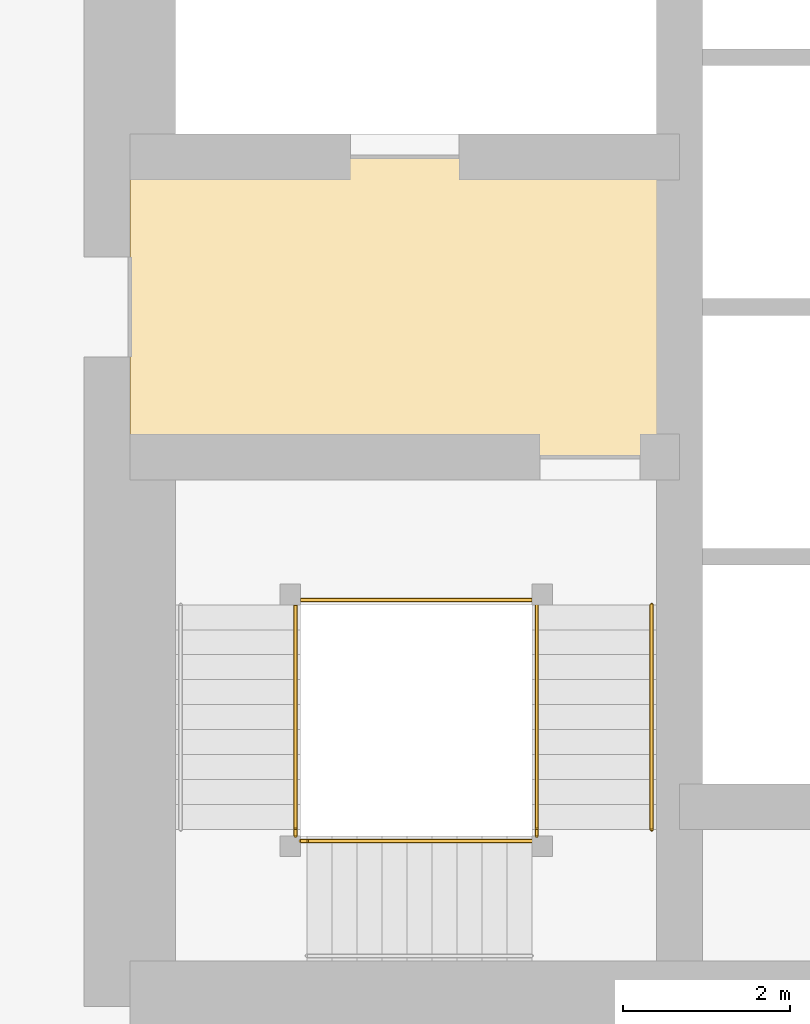
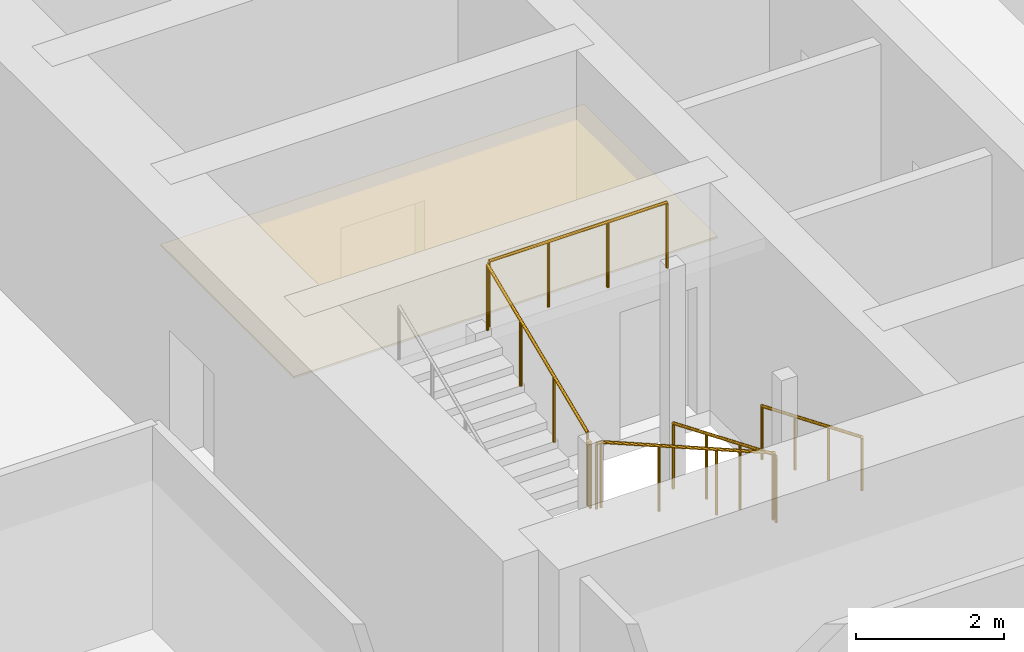
# One storey, part 38 of 45: 8 railings, 1 covering.
"""IFC4 building model written with IfcOpenShell, lengths in metres."""

from ifc_helpers import new_model, si_unit, direction, frame, origin, origin_2d, place, context, subcontext, project, spatial, polyline, circle, outline, extrude, material, layer, layer_set, type_object, element, save


model = new_model("IFC4")

# Units and contexts
model_context = context("Model", 3, precision=1e-05, world=origin(), true_north=direction((0.0, 1.0)))
body_context = subcontext(model_context, "Body", "Model", "MODEL_VIEW")
ifc_project = project(units=[si_unit("LENGTHUNIT", "METRE"), si_unit("AREAUNIT", "SQUARE_METRE"), si_unit("VOLUMEUNIT", "CUBIC_METRE"), si_unit("PLANEANGLEUNIT", "RADIAN"), si_unit("MASSUNIT", "GRAM", prefix="KILO")], contexts=[model_context])

# Site, building, storey
site_placement = place(None, origin())
site = spatial("IfcSite", under=ifc_project, at=site_placement, CompositionType="ELEMENT")
building_placement = place(site_placement, origin())
building = spatial("IfcBuilding", under=site, at=building_placement, Name="Rekha Terrace Tower", CompositionType="ELEMENT")
storey_placement = place(building_placement, frame((0.0, 0.0, 44.14990234375)))
storey = spatial("IfcBuildingStorey", under=building, at=storey_placement, Name="L10", CompositionType="ELEMENT", Elevation=44.14990234375)

# Covering
ifc_material_1 = material(Name="Powder-coated aluminium pan", Category="aluminium")
ifc_layer = layer(ifc_material_1, 0.030029296875)
ifc_layer_set = layer_set([ifc_layer], Name="Powder-coated aluminium pan")
covering_type = type_object("IfcCoveringType", Name="CL3 300x1200 metal pan ceiling", PredefinedType="CEILING", material=ifc_layer_set)
covering_placement = place(storey_placement, frame((0.0, 0.0, 2.570068359375)))
element("IfcCovering", 1, at=covering_placement, inside=storey, type_object=covering_type, Name="Ceiling L10-FLB1", PredefinedType="CEILING", context=body_context, shape_type="SweptSolid", body=[
    extrude(outline(polyline([(31.800048828125, 31.199951171875), (25.199951171875, 31.199951171875), (25.199951171875, 27.60009765625), (31.800048828125, 27.60009765625), (31.800048828125, 31.199951171875)])), origin(), (0.0, 0.0, 1.0), 0.030029296875),
])

# Railings
ifc_material_2 = material(Name="Stainless steel balustrade", Category="steel")
railing_type_1 = type_object("IfcRailingType", Name="GR1 1100 stair guard", PredefinedType="GUARDRAIL", material=ifc_material_2)
railing_1_placement = place(storey_placement, frame((30.0849609375, 25.824951171875, 0.125)))
element("IfcRailing", 2, at=railing_1_placement, inside=storey, type_object=railing_type_1, Name="Guard ST1 L10 flight 1", PredefinedType="GUARDRAIL", context=body_context, shape_type="SweptSolid", body=[
    extrude(circle(Radius=0.02392578125, at=origin_2d()), frame((0.0, 0.0, 1.076171875), z_axis=(0.0, -0.923074453586, 0.384621311341), x_axis=(1.0, 0.0, 0.0)), (0.0, 0.0, 1.0), 2.925048828125),
    extrude(circle(Radius=0.02099609375, at=origin_2d()), origin(), (0.0, 0.0, 1.0), 1.052001953125),
    extrude(circle(Radius=0.02099609375, at=origin_2d()), frame((0.0, -0.89990234375, 0.375)), (0.0, 0.0, 1.0), 1.052001953125),
    extrude(circle(Radius=0.02099609375, at=origin_2d()), frame((0.0, -1.800048828125, 0.75)), (0.0, 0.0, 1.0), 1.052001953125),
    extrude(circle(Radius=0.02099609375, at=origin_2d()), frame((0.0, -2.699951171875, 1.125)), (0.0, 0.0, 1.0), 1.052001953125),
])
railing_2_placement = place(storey_placement, frame((30.02490234375, 22.989990234375, 1.375)))
element("IfcRailing", 3, at=railing_2_placement, inside=storey, type_object=railing_type_1, Name="Guard ST1 L10 flight 2", PredefinedType="GUARDRAIL", context=body_context, shape_type="SweptSolid", body=[
    extrude(circle(Radius=0.02392578125, at=origin_2d()), frame((0.0, 0.0, 1.076171875), z_axis=(-0.923074453586, 0.0, 0.384621311341), x_axis=(0.0, -1.0, 0.0)), (0.0, 0.0, 1.0), 2.925048828125),
    extrude(circle(Radius=0.02099609375, at=origin_2d()), origin(), (0.0, 0.0, 1.0), 1.052001953125),
    extrude(circle(Radius=0.02099609375, at=origin_2d()), frame((-0.89990234375, 0.0, 0.375)), (0.0, 0.0, 1.0), 1.052001953125),
    extrude(circle(Radius=0.02099609375, at=origin_2d()), frame((-1.800048828125, 0.0, 0.75)), (0.0, 0.0, 1.0), 1.052001953125),
    extrude(circle(Radius=0.02099609375, at=origin_2d()), frame((-2.699951171875, 0.0, 1.125)), (0.0, 0.0, 1.0), 1.052001953125),
])
railing_3_placement = place(storey_placement, frame((27.18994140625, 23.125, 2.625)))
element("IfcRailing", 4, at=railing_3_placement, inside=storey, type_object=railing_type_1, Name="Guard ST1 L10 flight 3", PredefinedType="GUARDRAIL", context=body_context, shape_type="SweptSolid", body=[
    extrude(circle(Radius=0.02392578125, at=origin_2d()), frame((0.0, 0.0, 1.076171875), z_axis=(0.0, 0.923074453586, 0.384621311341), x_axis=(-1.0, 0.0, 0.0)), (0.0, 0.0, 1.0), 2.925048828125),
    extrude(circle(Radius=0.02099609375, at=origin_2d()), origin(), (0.0, 0.0, 1.0), 1.052001953125),
    extrude(circle(Radius=0.02099609375, at=origin_2d()), frame((0.0, 0.89990234375, 0.375)), (0.0, 0.0, 1.0), 1.052001953125),
    extrude(circle(Radius=0.02099609375, at=origin_2d()), frame((0.0, 1.800048828125, 0.75)), (0.0, 0.0, 1.0), 1.052001953125),
    extrude(circle(Radius=0.02099609375, at=origin_2d()), frame((0.0, 2.699951171875, 1.125)), (0.0, 0.0, 1.0), 1.052001953125),
])
railing_4_placement = place(storey_placement, frame((30.0849609375, 23.125, 1.25)))
element("IfcRailing", 5, at=railing_4_placement, inside=storey, type_object=railing_type_1, Name="Guard ST1 L10 landing 1", PredefinedType="GUARDRAIL", context=body_context, shape_type="SweptSolid", body=[
    extrude(circle(Radius=0.02392578125, at=origin_2d()), frame((0.0, 0.0, 1.076171875), z_axis=(0.0, -1.0, 0.0), x_axis=(1.0, 0.0, 0.0)), (0.0, 0.0, 1.0), 0.074951171875),
    extrude(circle(Radius=0.02099609375, at=origin_2d()), origin(), (0.0, 0.0, 1.0), 1.052001953125),
    extrude(circle(Radius=0.02099609375, at=origin_2d()), frame((0.0, -0.074951171875, 0.0)), (0.0, 0.0, 1.0), 1.052001953125),
])
railing_5_placement = place(storey_placement, frame((27.324951171875, 22.989990234375, 2.5)))
element("IfcRailing", 6, at=railing_5_placement, inside=storey, type_object=railing_type_1, Name="Guard ST1 L10 landing 2", PredefinedType="GUARDRAIL", context=body_context, shape_type="SweptSolid", body=[
    extrude(circle(Radius=0.02392578125, at=origin_2d()), frame((0.0, 0.0, 1.076171875), z_axis=(-1.0, 0.0, 0.0), x_axis=(0.0, -1.0, 0.0)), (0.0, 0.0, 1.0), 0.074951171875),
    extrude(circle(Radius=0.02099609375, at=origin_2d()), origin(), (0.0, 0.0, 1.0), 1.052001953125),
    extrude(circle(Radius=0.02099609375, at=origin_2d()), frame((-0.074951171875, 0.0, 0.0)), (0.0, 0.0, 1.0), 1.052001953125),
])
railing_6_placement = place(storey_placement, frame((27.18994140625, 23.125, 2.5)))
element("IfcRailing", 7, at=railing_6_placement, inside=storey, type_object=railing_type_1, Name="Guard ST1 L10 landing 3", PredefinedType="GUARDRAIL", context=body_context, shape_type="SweptSolid", body=[
    extrude(circle(Radius=0.02392578125, at=origin_2d()), frame((0.0, 0.0, 1.076171875), z_axis=(0.0, -1.0, 0.0), x_axis=(1.0, 0.0, 0.0)), (0.0, 0.0, 1.0), 0.074951171875),
    extrude(circle(Radius=0.02099609375, at=origin_2d()), origin(), (0.0, 0.0, 1.0), 1.052001953125),
    extrude(circle(Radius=0.02099609375, at=origin_2d()), frame((0.0, -0.074951171875, 0.0)), (0.0, 0.0, 1.0), 1.052001953125),
])
railing_7_placement = place(storey_placement, frame((30.02490234375, 25.885009765625, 3.75)))
element("IfcRailing", 8, at=railing_7_placement, inside=storey, type_object=railing_type_1, Name="Guard ST1 L10 landing 4", PredefinedType="GUARDRAIL", context=body_context, shape_type="SweptSolid", body=[
    extrude(circle(Radius=0.02392578125, at=origin_2d()), frame((0.0, 0.0, 1.076171875), z_axis=(-1.0, 0.0, 0.0), x_axis=(0.0, -1.0, 0.0)), (0.0, 0.0, 1.0), 2.77490234375),
    extrude(circle(Radius=0.02099609375, at=origin_2d()), origin(), (0.0, 0.0, 1.0), 1.052001953125),
    extrude(circle(Radius=0.02099609375, at=origin_2d()), frame((-0.925048828125, 0.0, 0.0)), (0.0, 0.0, 1.0), 1.052001953125),
    extrude(circle(Radius=0.02099609375, at=origin_2d()), frame((-1.849853515625, 0.0, 0.0)), (0.0, 0.0, 1.0), 1.052001953125),
    extrude(circle(Radius=0.02099609375, at=origin_2d()), frame((-2.77490234375, 0.0, 0.0)), (0.0, 0.0, 1.0), 1.052001953125),
])
ifc_material_3 = material(Name="Stainless steel tube", Category="steel")
railing_type_2 = type_object("IfcRailingType", Name="HR1 900 stair handrail", PredefinedType="HANDRAIL", material=ifc_material_3)
railing_8_placement = place(storey_placement, frame((31.465087890625, 25.824951171875, 0.125)))
element("IfcRailing", 9, at=railing_8_placement, inside=storey, type_object=railing_type_2, Name="Handrail ST1 L10 flight 1", PredefinedType="HANDRAIL", context=body_context, shape_type="SweptSolid", body=[
    extrude(circle(Radius=0.02392578125, at=origin_2d()), frame((0.0, 0.0, 0.8759765625), z_axis=(0.0, -0.923074453586, 0.384621311341), x_axis=(1.0, 0.0, 0.0)), (0.0, 0.0, 1.0), 2.925048828125),
    extrude(circle(Radius=0.02099609375, at=origin_2d()), origin(), (0.0, 0.0, 1.0), 0.851806640625),
    extrude(circle(Radius=0.02099609375, at=origin_2d()), frame((0.0, -0.89990234375, 0.375)), (0.0, 0.0, 1.0), 0.851806640625),
    extrude(circle(Radius=0.02099609375, at=origin_2d()), frame((0.0, -1.800048828125, 0.75)), (0.0, 0.0, 1.0), 0.851806640625),
    extrude(circle(Radius=0.02099609375, at=origin_2d()), frame((0.0, -2.699951171875, 1.125)), (0.0, 0.0, 1.0), 0.851806640625),
])

save(model, "model.ifc")
